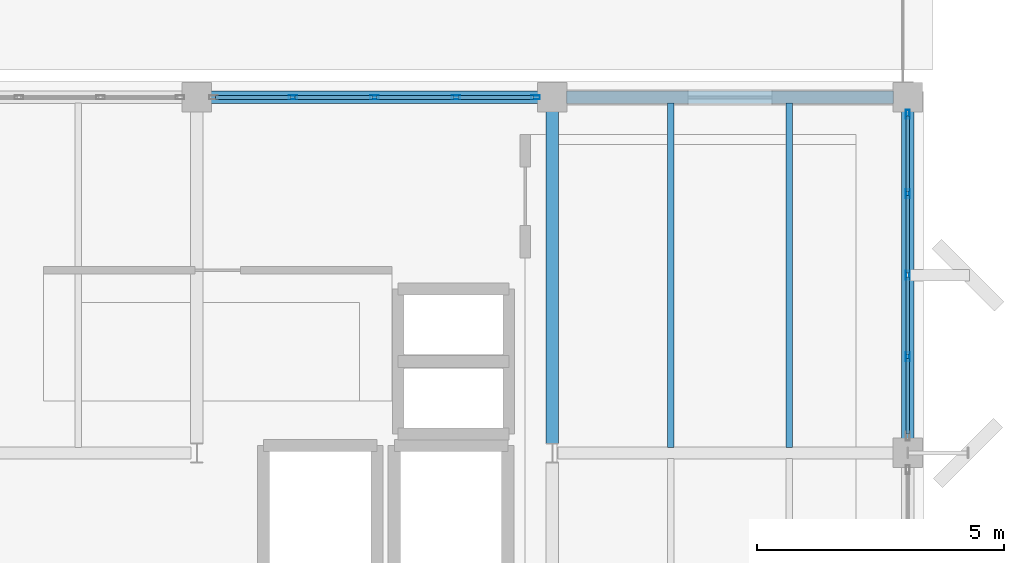
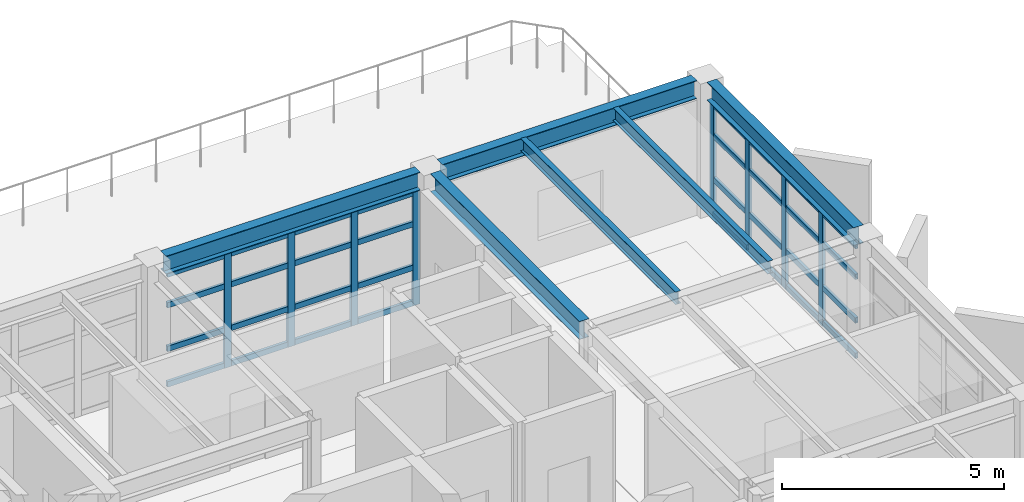
# One storey, part 8 of 16: 40 members, 6 beams, 2 elements without a shape of their own.
"""IFC4 building model written with IfcOpenShell, lengths in metres."""

from ifc_helpers import new_model, si_unit, direction, frame, origin, origin_2d, place, context, subcontext, project, spatial, hollow_rectangle, i_section, extrude, material, layer, layer_set, material_profile, profile_set, type_object, element, aggregate, save


model = new_model("IFC4")

# Units and contexts
model_context = context("Model", 3, precision=1e-05, world=origin(), true_north=direction((0.0, 1.0)))
body_context = subcontext(model_context, "Body", "Model", "MODEL_VIEW")
ifc_project = project(units=[si_unit("LENGTHUNIT", "METRE"), si_unit("AREAUNIT", "SQUARE_METRE"), si_unit("VOLUMEUNIT", "CUBIC_METRE"), si_unit("PLANEANGLEUNIT", "RADIAN"), si_unit("MASSUNIT", "GRAM", prefix="KILO")], contexts=[model_context])

# Site, building, storey
site_placement = place(None, origin())
site = spatial("IfcSite", under=ifc_project, at=site_placement, CompositionType="ELEMENT")
building_placement = place(site_placement, origin())
building = spatial("IfcBuilding", under=site, at=building_placement, Name="Kandorven Conservatory and Botanical Research Centre", CompositionType="ELEMENT")
storey_placement = place(building_placement, frame((0.0, 0.0, 44.39990234375)))
storey = spatial("IfcBuildingStorey", under=building, at=storey_placement, Name="L11", CompositionType="ELEMENT", Elevation=44.39990234375)

# Beams
ifc_material_1 = material(Name="Steel S355 (IS 2062 E350)", Category="steel")
ifc_material_profile_1 = material_profile(ifc_material_1, i_section(OverallWidth=0.25, OverallDepth=0.5, WebThickness=0.010009765625, FlangeThickness=0.0146484375, at=origin_2d()))
ifc_profile_set_1 = profile_set([ifc_material_profile_1], Name="Steel S355 (IS 2062 E350)")
beam_type_1 = type_object("IfcBeamType", Name="Beam_FG-02", PredefinedType="USERDEFINED", material=ifc_profile_set_1)
for number, where, z_axis, x_axis, name in (
    (1, (20.68994140625, 27.60009765625, 3.440185546875), (1.0, 0.0, 0.0), (0.0, 1.0, 0.0), "Primary girder FG-02 TWR L11"),
    (2, (27.889892578125, 27.60009765625, 3.440185546875), (1.0, 0.0, 0.0), (0.0, 1.0, 0.0), "Primary girder FG-02 TWR L11"),
):
    element("IfcBeam", number, at=place(storey_placement, frame(where, z_axis=z_axis, x_axis=x_axis)), inside=storey, type_object=beam_type_1, Name=name, ObjectType="GIRDER", PredefinedType="USERDEFINED", context=body_context, shape_type="SweptSolid", body=[
        extrude(i_section(OverallWidth=0.25, OverallDepth=0.5, WebThickness=0.010009765625, FlangeThickness=0.0146484375, at=origin_2d()), origin(), (0.0, 0.0, 1.0), 6.6201171875),
    ])
beam_1_placement = place(storey_placement, frame((27.60009765625, 20.590087890625, 3.440185546875), z_axis=(0.0, 1.0, 0.0), x_axis=(-1.0, 0.0, 0.0)))
element("IfcBeam", 3, at=beam_1_placement, inside=storey, type_object=beam_type_1, Name="Primary girder FG-02 TWR L11", ObjectType="GIRDER", PredefinedType="USERDEFINED", context=body_context, shape_type="SweptSolid", body=[
    extrude(i_section(OverallWidth=0.25, OverallDepth=0.5, WebThickness=0.010009765625, FlangeThickness=0.0146484375, at=origin_2d()), origin(), (0.0, 0.0, 1.0), 6.719970703125),
])
beam_2_placement = place(storey_placement, frame((34.800048828125, 20.68994140625, 3.440185546875), z_axis=(0.0, 1.0, 0.0), x_axis=(-1.0, 0.0, 0.0)))
element("IfcBeam", 4, at=beam_2_placement, inside=storey, type_object=beam_type_1, Name="Primary girder FG-02 TWR L11", ObjectType="GIRDER", PredefinedType="USERDEFINED", context=body_context, shape_type="SweptSolid", body=[
    extrude(i_section(OverallWidth=0.25, OverallDepth=0.5, WebThickness=0.010009765625, FlangeThickness=0.0146484375, at=origin_2d()), origin(), (0.0, 0.0, 1.0), 6.6201171875),
])
ifc_material_2 = material(Name="Steel S355 (IS 2062 E350)", Category="steel")
ifc_material_profile_2 = material_profile(ifc_material_2, i_section(OverallWidth=0.139892578125, OverallDepth=0.35009765625, WebThickness=0.008056640625, FlangeThickness=0.01416015625, at=origin_2d()))
ifc_profile_set_2 = profile_set([ifc_material_profile_2], Name="Steel S355 (IS 2062 E350)")
beam_type_2 = type_object("IfcBeamType", Name="Beam_SB-06", PredefinedType="BEAM", material=ifc_profile_set_2)
for number, where, z_axis, x_axis, name in (
    (5, (30.0, 20.510009765625, 3.51513671875), (0.0, 1.0, 0.0), (-1.0, 0.0, 0.0), "Composite secondary beam SB-06 TWR L11"),
    (6, (32.39990234375, 20.510009765625, 3.51513671875), (0.0, 1.0, 0.0), (-1.0, 0.0, 0.0), "Composite secondary beam SB-06 TWR L11"),
):
    element("IfcBeam", number, at=place(storey_placement, frame(where, z_axis=z_axis, x_axis=x_axis)), inside=storey, type_object=beam_type_2, Name=name, PredefinedType="BEAM", context=body_context, shape_type="SweptSolid", body=[
        extrude(i_section(OverallWidth=0.139892578125, OverallDepth=0.35009765625, WebThickness=0.008056640625, FlangeThickness=0.01416015625, at=origin_2d()), origin(), (0.0, 0.0, 1.0), 6.97998046875),
    ])

# Curtain wall, members
ifc_material_3 = material(Name="Bronze anodised thermally broken aluminium", Category="aluminium")
ifc_layer = layer(ifc_material_3, 0.179931640625)
ifc_layer_set = layer_set([ifc_layer], Name="Bronze anodised thermally broken aluminium")
curtain_wall_type = type_object("IfcCurtainWallType", Name="CW_Unitised", PredefinedType="USERDEFINED", material=ifc_layer_set)
curtain_wall_1_placement = place(storey_placement, origin())
curtain_wall_1 = element("IfcCurtainWall", 7, at=curtain_wall_1_placement, inside=storey, type_object=curtain_wall_type, Name="Tower laboratory curtain wall CW-TWR-N-L11-3", ObjectType="UNITISED GLAZING", PredefinedType="USERDEFINED")
ifc_material_4 = material(Name="Bronze anodised thermally broken aluminium", Category="aluminium")
ifc_material_profile_3 = material_profile(ifc_material_4, hollow_rectangle(XDim=0.080078125, YDim=0.179931640625, WallThickness=0.006103515625, at=origin_2d()))
ifc_profile_set_3 = profile_set([ifc_material_profile_3], Name="Bronze anodised thermally broken aluminium")
member_type_1 = type_object("IfcMemberType", Name="CW_Mullion", PredefinedType="MULLION", material=ifc_profile_set_3)
member_1_placement = place(storey_placement, frame((22.35009765625, 27.60009765625, 0.0), z_axis=(0.0, 0.0, 1.0), x_axis=(0.0, 1.0, 0.0)))
member_1 = element("IfcMember", 8, at=member_1_placement, type_object=member_type_1, Name="CW-01 mullion 2", PredefinedType="MULLION", context=body_context, shape_type="SweptSolid", body=[
    extrude(hollow_rectangle(XDim=0.080078125, YDim=0.179931640625, WallThickness=0.006103515625, at=origin_2d()), origin(), (0.0, 0.0, 1.0), 3.170166015625),
])
member_2_placement = place(storey_placement, frame((24.0, 27.60009765625, 0.0), z_axis=(0.0, 0.0, 1.0), x_axis=(0.0, 1.0, 0.0)))
member_2 = element("IfcMember", 9, at=member_2_placement, type_object=member_type_1, Name="CW-01 mullion 3", PredefinedType="MULLION", context=body_context, shape_type="SweptSolid", body=[
    extrude(hollow_rectangle(XDim=0.080078125, YDim=0.179931640625, WallThickness=0.006103515625, at=origin_2d()), origin(), (0.0, 0.0, 1.0), 3.170166015625),
])
member_3_placement = place(storey_placement, frame((25.64990234375, 27.60009765625, 0.0), z_axis=(0.0, 0.0, 1.0), x_axis=(0.0, 1.0, 0.0)))
member_3 = element("IfcMember", 10, at=member_3_placement, type_object=member_type_1, Name="CW-01 mullion 4", PredefinedType="MULLION", context=body_context, shape_type="SweptSolid", body=[
    extrude(hollow_rectangle(XDim=0.080078125, YDim=0.179931640625, WallThickness=0.006103515625, at=origin_2d()), origin(), (0.0, 0.0, 1.0), 3.170166015625),
])
member_4_placement = place(storey_placement, frame((27.260009765625, 27.60009765625, 0.0), z_axis=(0.0, 0.0, 1.0), x_axis=(0.0, 1.0, 0.0)))
member_4 = element("IfcMember", 11, at=member_4_placement, type_object=member_type_1, Name="CW-01 mullion 5", PredefinedType="MULLION", context=body_context, shape_type="SweptSolid", body=[
    extrude(hollow_rectangle(XDim=0.080078125, YDim=0.179931640625, WallThickness=0.006103515625, at=origin_2d()), origin(), (0.0, 0.0, 1.0), 3.170166015625),
])

curtain_wall_2_placement = place(storey_placement, origin())
curtain_wall_2 = element("IfcCurtainWall", 12, at=curtain_wall_2_placement, inside=storey, type_object=curtain_wall_type, Name="Tower laboratory curtain wall CW-TWR-E-L11-3", ObjectType="UNITISED GLAZING", PredefinedType="USERDEFINED")
member_5_placement = place(storey_placement, frame((34.800048828125, 22.35009765625, 0.0), z_axis=(0.0, 0.0, 1.0), x_axis=(-1.0, 0.0, 0.0)))
member_5 = element("IfcMember", 13, at=member_5_placement, type_object=member_type_1, Name="CW-01 mullion 2", PredefinedType="MULLION", context=body_context, shape_type="SweptSolid", body=[
    extrude(hollow_rectangle(XDim=0.080078125, YDim=0.179931640625, WallThickness=0.006103515625, at=origin_2d()), origin(), (0.0, 0.0, 1.0), 3.170166015625),
])
member_6_placement = place(storey_placement, frame((34.800048828125, 24.0, 0.0), z_axis=(0.0, 0.0, 1.0), x_axis=(-1.0, 0.0, 0.0)))
member_6 = element("IfcMember", 14, at=member_6_placement, type_object=member_type_1, Name="CW-01 mullion 3", PredefinedType="MULLION", context=body_context, shape_type="SweptSolid", body=[
    extrude(hollow_rectangle(XDim=0.080078125, YDim=0.179931640625, WallThickness=0.006103515625, at=origin_2d()), origin(), (0.0, 0.0, 1.0), 3.170166015625),
])
member_7_placement = place(storey_placement, frame((34.800048828125, 25.64990234375, 0.0), z_axis=(0.0, 0.0, 1.0), x_axis=(-1.0, 0.0, 0.0)))
member_7 = element("IfcMember", 15, at=member_7_placement, type_object=member_type_1, Name="CW-01 mullion 4", PredefinedType="MULLION", context=body_context, shape_type="SweptSolid", body=[
    extrude(hollow_rectangle(XDim=0.080078125, YDim=0.179931640625, WallThickness=0.006103515625, at=origin_2d()), origin(), (0.0, 0.0, 1.0), 3.170166015625),
])
member_8_placement = place(storey_placement, frame((34.800048828125, 27.260009765625, 0.0), z_axis=(0.0, 0.0, 1.0), x_axis=(-1.0, 0.0, 0.0)))
member_8 = element("IfcMember", 16, at=member_8_placement, type_object=member_type_1, Name="CW-01 mullion 5", PredefinedType="MULLION", context=body_context, shape_type="SweptSolid", body=[
    extrude(hollow_rectangle(XDim=0.080078125, YDim=0.179931640625, WallThickness=0.006103515625, at=origin_2d()), origin(), (0.0, 0.0, 1.0), 3.170166015625),
])

# Member
ifc_material_5 = material(Name="Bronze anodised thermally broken aluminium", Category="aluminium")
ifc_material_profile_4 = material_profile(ifc_material_5, hollow_rectangle(XDim=0.074951171875, YDim=0.14990234375, WallThickness=0.006103515625, at=origin_2d()))
ifc_profile_set_4 = profile_set([ifc_material_profile_4], Name="Bronze anodised thermally broken aluminium")
member_type_2 = type_object("IfcMemberType", Name="CW_Transom", PredefinedType="USERDEFINED", material=ifc_profile_set_4)
member_9_placement = place(storey_placement, frame((20.780029296875, 27.60009765625, 0.0751953125), z_axis=(1.0, 0.0, 0.0), x_axis=(0.0, 1.0, 0.0)))
member_9 = element("IfcMember", 17, at=member_9_placement, type_object=member_type_2, Name="CW-01 transom 1.1", ObjectType="TRANSOM", PredefinedType="USERDEFINED", context=body_context, shape_type="SweptSolid", body=[
    extrude(hollow_rectangle(XDim=0.074951171875, YDim=0.14990234375, WallThickness=0.006103515625, at=origin_2d()), origin(), (0.0, 0.0, 1.0), 1.530029296875),
])

member_10_placement = place(storey_placement, frame((20.780029296875, 27.60009765625, 1.050048828125), z_axis=(1.0, 0.0, 0.0), x_axis=(0.0, 1.0, 0.0)))
member_10 = element("IfcMember", 18, at=member_10_placement, type_object=member_type_2, Name="CW-01 transom 1.2", ObjectType="TRANSOM", PredefinedType="USERDEFINED", context=body_context, shape_type="SweptSolid", body=[
    extrude(hollow_rectangle(XDim=0.074951171875, YDim=0.14990234375, WallThickness=0.006103515625, at=origin_2d()), origin(), (0.0, 0.0, 1.0), 1.530029296875),
])

member_11_placement = place(storey_placement, frame((20.780029296875, 27.60009765625, 2.25), z_axis=(1.0, 0.0, 0.0), x_axis=(0.0, 1.0, 0.0)))
member_11 = element("IfcMember", 19, at=member_11_placement, type_object=member_type_2, Name="CW-01 transom 1.3", ObjectType="TRANSOM", PredefinedType="USERDEFINED", context=body_context, shape_type="SweptSolid", body=[
    extrude(hollow_rectangle(XDim=0.074951171875, YDim=0.14990234375, WallThickness=0.006103515625, at=origin_2d()), origin(), (0.0, 0.0, 1.0), 1.530029296875),
])

member_12_placement = place(storey_placement, frame((20.780029296875, 27.60009765625, 3.09521484375), z_axis=(1.0, 0.0, 0.0), x_axis=(0.0, 1.0, 0.0)))
member_12 = element("IfcMember", 20, at=member_12_placement, type_object=member_type_2, Name="CW-01 transom 1.4", ObjectType="TRANSOM", PredefinedType="USERDEFINED", context=body_context, shape_type="SweptSolid", body=[
    extrude(hollow_rectangle(XDim=0.074951171875, YDim=0.14990234375, WallThickness=0.006103515625, at=origin_2d()), origin(), (0.0, 0.0, 1.0), 1.530029296875),
])

member_13_placement = place(storey_placement, frame((22.389892578125, 27.60009765625, 0.0751953125), z_axis=(1.0, 0.0, 0.0), x_axis=(0.0, 1.0, 0.0)))
member_13 = element("IfcMember", 21, at=member_13_placement, type_object=member_type_2, Name="CW-01 transom 2.1", ObjectType="TRANSOM", PredefinedType="USERDEFINED", context=body_context, shape_type="SweptSolid", body=[
    extrude(hollow_rectangle(XDim=0.074951171875, YDim=0.14990234375, WallThickness=0.006103515625, at=origin_2d()), origin(), (0.0, 0.0, 1.0), 1.570068359375),
])

member_14_placement = place(storey_placement, frame((22.389892578125, 27.60009765625, 1.050048828125), z_axis=(1.0, 0.0, 0.0), x_axis=(0.0, 1.0, 0.0)))
member_14 = element("IfcMember", 22, at=member_14_placement, type_object=member_type_2, Name="CW-01 transom 2.2", ObjectType="TRANSOM", PredefinedType="USERDEFINED", context=body_context, shape_type="SweptSolid", body=[
    extrude(hollow_rectangle(XDim=0.074951171875, YDim=0.14990234375, WallThickness=0.006103515625, at=origin_2d()), origin(), (0.0, 0.0, 1.0), 1.570068359375),
])

member_15_placement = place(storey_placement, frame((22.389892578125, 27.60009765625, 2.25), z_axis=(1.0, 0.0, 0.0), x_axis=(0.0, 1.0, 0.0)))
member_15 = element("IfcMember", 23, at=member_15_placement, type_object=member_type_2, Name="CW-01 transom 2.3", ObjectType="TRANSOM", PredefinedType="USERDEFINED", context=body_context, shape_type="SweptSolid", body=[
    extrude(hollow_rectangle(XDim=0.074951171875, YDim=0.14990234375, WallThickness=0.006103515625, at=origin_2d()), origin(), (0.0, 0.0, 1.0), 1.570068359375),
])

member_16_placement = place(storey_placement, frame((22.389892578125, 27.60009765625, 3.09521484375), z_axis=(1.0, 0.0, 0.0), x_axis=(0.0, 1.0, 0.0)))
member_16 = element("IfcMember", 24, at=member_16_placement, type_object=member_type_2, Name="CW-01 transom 2.4", ObjectType="TRANSOM", PredefinedType="USERDEFINED", context=body_context, shape_type="SweptSolid", body=[
    extrude(hollow_rectangle(XDim=0.074951171875, YDim=0.14990234375, WallThickness=0.006103515625, at=origin_2d()), origin(), (0.0, 0.0, 1.0), 1.570068359375),
])

member_17_placement = place(storey_placement, frame((24.0400390625, 27.60009765625, 0.0751953125), z_axis=(1.0, 0.0, 0.0), x_axis=(0.0, 1.0, 0.0)))
member_17 = element("IfcMember", 25, at=member_17_placement, type_object=member_type_2, Name="CW-01 transom 3.1", ObjectType="TRANSOM", PredefinedType="USERDEFINED", context=body_context, shape_type="SweptSolid", body=[
    extrude(hollow_rectangle(XDim=0.074951171875, YDim=0.14990234375, WallThickness=0.006103515625, at=origin_2d()), origin(), (0.0, 0.0, 1.0), 1.570068359375),
])

member_18_placement = place(storey_placement, frame((24.0400390625, 27.60009765625, 1.050048828125), z_axis=(1.0, 0.0, 0.0), x_axis=(0.0, 1.0, 0.0)))
member_18 = element("IfcMember", 26, at=member_18_placement, type_object=member_type_2, Name="CW-01 transom 3.2", ObjectType="TRANSOM", PredefinedType="USERDEFINED", context=body_context, shape_type="SweptSolid", body=[
    extrude(hollow_rectangle(XDim=0.074951171875, YDim=0.14990234375, WallThickness=0.006103515625, at=origin_2d()), origin(), (0.0, 0.0, 1.0), 1.570068359375),
])

member_19_placement = place(storey_placement, frame((24.0400390625, 27.60009765625, 2.25), z_axis=(1.0, 0.0, 0.0), x_axis=(0.0, 1.0, 0.0)))
member_19 = element("IfcMember", 27, at=member_19_placement, type_object=member_type_2, Name="CW-01 transom 3.3", ObjectType="TRANSOM", PredefinedType="USERDEFINED", context=body_context, shape_type="SweptSolid", body=[
    extrude(hollow_rectangle(XDim=0.074951171875, YDim=0.14990234375, WallThickness=0.006103515625, at=origin_2d()), origin(), (0.0, 0.0, 1.0), 1.570068359375),
])

member_20_placement = place(storey_placement, frame((24.0400390625, 27.60009765625, 3.09521484375), z_axis=(1.0, 0.0, 0.0), x_axis=(0.0, 1.0, 0.0)))
member_20 = element("IfcMember", 28, at=member_20_placement, type_object=member_type_2, Name="CW-01 transom 3.4", ObjectType="TRANSOM", PredefinedType="USERDEFINED", context=body_context, shape_type="SweptSolid", body=[
    extrude(hollow_rectangle(XDim=0.074951171875, YDim=0.14990234375, WallThickness=0.006103515625, at=origin_2d()), origin(), (0.0, 0.0, 1.0), 1.570068359375),
])

member_21_placement = place(storey_placement, frame((25.68994140625, 27.60009765625, 0.0751953125), z_axis=(1.0, 0.0, 0.0), x_axis=(0.0, 1.0, 0.0)))
member_21 = element("IfcMember", 29, at=member_21_placement, type_object=member_type_2, Name="CW-01 transom 4.1", ObjectType="TRANSOM", PredefinedType="USERDEFINED", context=body_context, shape_type="SweptSolid", body=[
    extrude(hollow_rectangle(XDim=0.074951171875, YDim=0.14990234375, WallThickness=0.006103515625, at=origin_2d()), origin(), (0.0, 0.0, 1.0), 1.530029296875),
])

member_22_placement = place(storey_placement, frame((25.68994140625, 27.60009765625, 1.050048828125), z_axis=(1.0, 0.0, 0.0), x_axis=(0.0, 1.0, 0.0)))
member_22 = element("IfcMember", 30, at=member_22_placement, type_object=member_type_2, Name="CW-01 transom 4.2", ObjectType="TRANSOM", PredefinedType="USERDEFINED", context=body_context, shape_type="SweptSolid", body=[
    extrude(hollow_rectangle(XDim=0.074951171875, YDim=0.14990234375, WallThickness=0.006103515625, at=origin_2d()), origin(), (0.0, 0.0, 1.0), 1.530029296875),
])

member_23_placement = place(storey_placement, frame((25.68994140625, 27.60009765625, 2.25), z_axis=(1.0, 0.0, 0.0), x_axis=(0.0, 1.0, 0.0)))
member_23 = element("IfcMember", 31, at=member_23_placement, type_object=member_type_2, Name="CW-01 transom 4.3", ObjectType="TRANSOM", PredefinedType="USERDEFINED", context=body_context, shape_type="SweptSolid", body=[
    extrude(hollow_rectangle(XDim=0.074951171875, YDim=0.14990234375, WallThickness=0.006103515625, at=origin_2d()), origin(), (0.0, 0.0, 1.0), 1.530029296875),
])

member_24_placement = place(storey_placement, frame((25.68994140625, 27.60009765625, 3.09521484375), z_axis=(1.0, 0.0, 0.0), x_axis=(0.0, 1.0, 0.0)))
member_24 = element("IfcMember", 32, at=member_24_placement, type_object=member_type_2, Name="CW-01 transom 4.4", ObjectType="TRANSOM", PredefinedType="USERDEFINED", context=body_context, shape_type="SweptSolid", body=[
    extrude(hollow_rectangle(XDim=0.074951171875, YDim=0.14990234375, WallThickness=0.006103515625, at=origin_2d()), origin(), (0.0, 0.0, 1.0), 1.530029296875),
])

aggregate(curtain_wall_1, [member_1, member_2, member_3, member_4, member_9, member_10, member_11, member_12, member_13, member_14, member_15, member_16, member_17, member_18, member_19, member_20, member_21, member_22, member_23, member_24])

member_25_placement = place(storey_placement, frame((34.800048828125, 20.780029296875, 0.0751953125), z_axis=(0.0, 1.0, 0.0), x_axis=(-1.0, 0.0, 0.0)))
member_25 = element("IfcMember", 33, at=member_25_placement, type_object=member_type_2, Name="CW-01 transom 1.1", ObjectType="TRANSOM", PredefinedType="USERDEFINED", context=body_context, shape_type="SweptSolid", body=[
    extrude(hollow_rectangle(XDim=0.074951171875, YDim=0.14990234375, WallThickness=0.006103515625, at=origin_2d()), origin(), (0.0, 0.0, 1.0), 1.530029296875),
])

member_26_placement = place(storey_placement, frame((34.800048828125, 20.780029296875, 1.050048828125), z_axis=(0.0, 1.0, 0.0), x_axis=(-1.0, 0.0, 0.0)))
member_26 = element("IfcMember", 34, at=member_26_placement, type_object=member_type_2, Name="CW-01 transom 1.2", ObjectType="TRANSOM", PredefinedType="USERDEFINED", context=body_context, shape_type="SweptSolid", body=[
    extrude(hollow_rectangle(XDim=0.074951171875, YDim=0.14990234375, WallThickness=0.006103515625, at=origin_2d()), origin(), (0.0, 0.0, 1.0), 1.530029296875),
])

member_27_placement = place(storey_placement, frame((34.800048828125, 20.780029296875, 2.25), z_axis=(0.0, 1.0, 0.0), x_axis=(-1.0, 0.0, 0.0)))
member_27 = element("IfcMember", 35, at=member_27_placement, type_object=member_type_2, Name="CW-01 transom 1.3", ObjectType="TRANSOM", PredefinedType="USERDEFINED", context=body_context, shape_type="SweptSolid", body=[
    extrude(hollow_rectangle(XDim=0.074951171875, YDim=0.14990234375, WallThickness=0.006103515625, at=origin_2d()), origin(), (0.0, 0.0, 1.0), 1.530029296875),
])

member_28_placement = place(storey_placement, frame((34.800048828125, 20.780029296875, 3.09521484375), z_axis=(0.0, 1.0, 0.0), x_axis=(-1.0, 0.0, 0.0)))
member_28 = element("IfcMember", 36, at=member_28_placement, type_object=member_type_2, Name="CW-01 transom 1.4", ObjectType="TRANSOM", PredefinedType="USERDEFINED", context=body_context, shape_type="SweptSolid", body=[
    extrude(hollow_rectangle(XDim=0.074951171875, YDim=0.14990234375, WallThickness=0.006103515625, at=origin_2d()), origin(), (0.0, 0.0, 1.0), 1.530029296875),
])

member_29_placement = place(storey_placement, frame((34.800048828125, 22.389892578125, 0.0751953125), z_axis=(0.0, 1.0, 0.0), x_axis=(-1.0, 0.0, 0.0)))
member_29 = element("IfcMember", 37, at=member_29_placement, type_object=member_type_2, Name="CW-01 transom 2.1", ObjectType="TRANSOM", PredefinedType="USERDEFINED", context=body_context, shape_type="SweptSolid", body=[
    extrude(hollow_rectangle(XDim=0.074951171875, YDim=0.14990234375, WallThickness=0.006103515625, at=origin_2d()), origin(), (0.0, 0.0, 1.0), 1.570068359375),
])

member_30_placement = place(storey_placement, frame((34.800048828125, 22.389892578125, 1.050048828125), z_axis=(0.0, 1.0, 0.0), x_axis=(-1.0, 0.0, 0.0)))
member_30 = element("IfcMember", 38, at=member_30_placement, type_object=member_type_2, Name="CW-01 transom 2.2", ObjectType="TRANSOM", PredefinedType="USERDEFINED", context=body_context, shape_type="SweptSolid", body=[
    extrude(hollow_rectangle(XDim=0.074951171875, YDim=0.14990234375, WallThickness=0.006103515625, at=origin_2d()), origin(), (0.0, 0.0, 1.0), 1.570068359375),
])

member_31_placement = place(storey_placement, frame((34.800048828125, 22.389892578125, 2.25), z_axis=(0.0, 1.0, 0.0), x_axis=(-1.0, 0.0, 0.0)))
member_31 = element("IfcMember", 39, at=member_31_placement, type_object=member_type_2, Name="CW-01 transom 2.3", ObjectType="TRANSOM", PredefinedType="USERDEFINED", context=body_context, shape_type="SweptSolid", body=[
    extrude(hollow_rectangle(XDim=0.074951171875, YDim=0.14990234375, WallThickness=0.006103515625, at=origin_2d()), origin(), (0.0, 0.0, 1.0), 1.570068359375),
])

member_32_placement = place(storey_placement, frame((34.800048828125, 22.389892578125, 3.09521484375), z_axis=(0.0, 1.0, 0.0), x_axis=(-1.0, 0.0, 0.0)))
member_32 = element("IfcMember", 40, at=member_32_placement, type_object=member_type_2, Name="CW-01 transom 2.4", ObjectType="TRANSOM", PredefinedType="USERDEFINED", context=body_context, shape_type="SweptSolid", body=[
    extrude(hollow_rectangle(XDim=0.074951171875, YDim=0.14990234375, WallThickness=0.006103515625, at=origin_2d()), origin(), (0.0, 0.0, 1.0), 1.570068359375),
])

member_33_placement = place(storey_placement, frame((34.800048828125, 24.0400390625, 0.0751953125), z_axis=(0.0, 1.0, 0.0), x_axis=(-1.0, 0.0, 0.0)))
member_33 = element("IfcMember", 41, at=member_33_placement, type_object=member_type_2, Name="CW-01 transom 3.1", ObjectType="TRANSOM", PredefinedType="USERDEFINED", context=body_context, shape_type="SweptSolid", body=[
    extrude(hollow_rectangle(XDim=0.074951171875, YDim=0.14990234375, WallThickness=0.006103515625, at=origin_2d()), origin(), (0.0, 0.0, 1.0), 1.570068359375),
])

member_34_placement = place(storey_placement, frame((34.800048828125, 24.0400390625, 1.050048828125), z_axis=(0.0, 1.0, 0.0), x_axis=(-1.0, 0.0, 0.0)))
member_34 = element("IfcMember", 42, at=member_34_placement, type_object=member_type_2, Name="CW-01 transom 3.2", ObjectType="TRANSOM", PredefinedType="USERDEFINED", context=body_context, shape_type="SweptSolid", body=[
    extrude(hollow_rectangle(XDim=0.074951171875, YDim=0.14990234375, WallThickness=0.006103515625, at=origin_2d()), origin(), (0.0, 0.0, 1.0), 1.570068359375),
])

member_35_placement = place(storey_placement, frame((34.800048828125, 24.0400390625, 2.25), z_axis=(0.0, 1.0, 0.0), x_axis=(-1.0, 0.0, 0.0)))
member_35 = element("IfcMember", 43, at=member_35_placement, type_object=member_type_2, Name="CW-01 transom 3.3", ObjectType="TRANSOM", PredefinedType="USERDEFINED", context=body_context, shape_type="SweptSolid", body=[
    extrude(hollow_rectangle(XDim=0.074951171875, YDim=0.14990234375, WallThickness=0.006103515625, at=origin_2d()), origin(), (0.0, 0.0, 1.0), 1.570068359375),
])

member_36_placement = place(storey_placement, frame((34.800048828125, 24.0400390625, 3.09521484375), z_axis=(0.0, 1.0, 0.0), x_axis=(-1.0, 0.0, 0.0)))
member_36 = element("IfcMember", 44, at=member_36_placement, type_object=member_type_2, Name="CW-01 transom 3.4", ObjectType="TRANSOM", PredefinedType="USERDEFINED", context=body_context, shape_type="SweptSolid", body=[
    extrude(hollow_rectangle(XDim=0.074951171875, YDim=0.14990234375, WallThickness=0.006103515625, at=origin_2d()), origin(), (0.0, 0.0, 1.0), 1.570068359375),
])

member_37_placement = place(storey_placement, frame((34.800048828125, 25.68994140625, 0.0751953125), z_axis=(0.0, 1.0, 0.0), x_axis=(-1.0, 0.0, 0.0)))
member_37 = element("IfcMember", 45, at=member_37_placement, type_object=member_type_2, Name="CW-01 transom 4.1", ObjectType="TRANSOM", PredefinedType="USERDEFINED", context=body_context, shape_type="SweptSolid", body=[
    extrude(hollow_rectangle(XDim=0.074951171875, YDim=0.14990234375, WallThickness=0.006103515625, at=origin_2d()), origin(), (0.0, 0.0, 1.0), 1.530029296875),
])

member_38_placement = place(storey_placement, frame((34.800048828125, 25.68994140625, 1.050048828125), z_axis=(0.0, 1.0, 0.0), x_axis=(-1.0, 0.0, 0.0)))
member_38 = element("IfcMember", 46, at=member_38_placement, type_object=member_type_2, Name="CW-01 transom 4.2", ObjectType="TRANSOM", PredefinedType="USERDEFINED", context=body_context, shape_type="SweptSolid", body=[
    extrude(hollow_rectangle(XDim=0.074951171875, YDim=0.14990234375, WallThickness=0.006103515625, at=origin_2d()), origin(), (0.0, 0.0, 1.0), 1.530029296875),
])

member_39_placement = place(storey_placement, frame((34.800048828125, 25.68994140625, 2.25), z_axis=(0.0, 1.0, 0.0), x_axis=(-1.0, 0.0, 0.0)))
member_39 = element("IfcMember", 47, at=member_39_placement, type_object=member_type_2, Name="CW-01 transom 4.3", ObjectType="TRANSOM", PredefinedType="USERDEFINED", context=body_context, shape_type="SweptSolid", body=[
    extrude(hollow_rectangle(XDim=0.074951171875, YDim=0.14990234375, WallThickness=0.006103515625, at=origin_2d()), origin(), (0.0, 0.0, 1.0), 1.530029296875),
])

member_40_placement = place(storey_placement, frame((34.800048828125, 25.68994140625, 3.09521484375), z_axis=(0.0, 1.0, 0.0), x_axis=(-1.0, 0.0, 0.0)))
member_40 = element("IfcMember", 48, at=member_40_placement, type_object=member_type_2, Name="CW-01 transom 4.4", ObjectType="TRANSOM", PredefinedType="USERDEFINED", context=body_context, shape_type="SweptSolid", body=[
    extrude(hollow_rectangle(XDim=0.074951171875, YDim=0.14990234375, WallThickness=0.006103515625, at=origin_2d()), origin(), (0.0, 0.0, 1.0), 1.530029296875),
])

aggregate(curtain_wall_2, [member_5, member_6, member_7, member_8, member_25, member_26, member_27, member_28, member_29, member_30, member_31, member_32, member_33, member_34, member_35, member_36, member_37, member_38, member_39, member_40])

save(model, "model.ifc")
